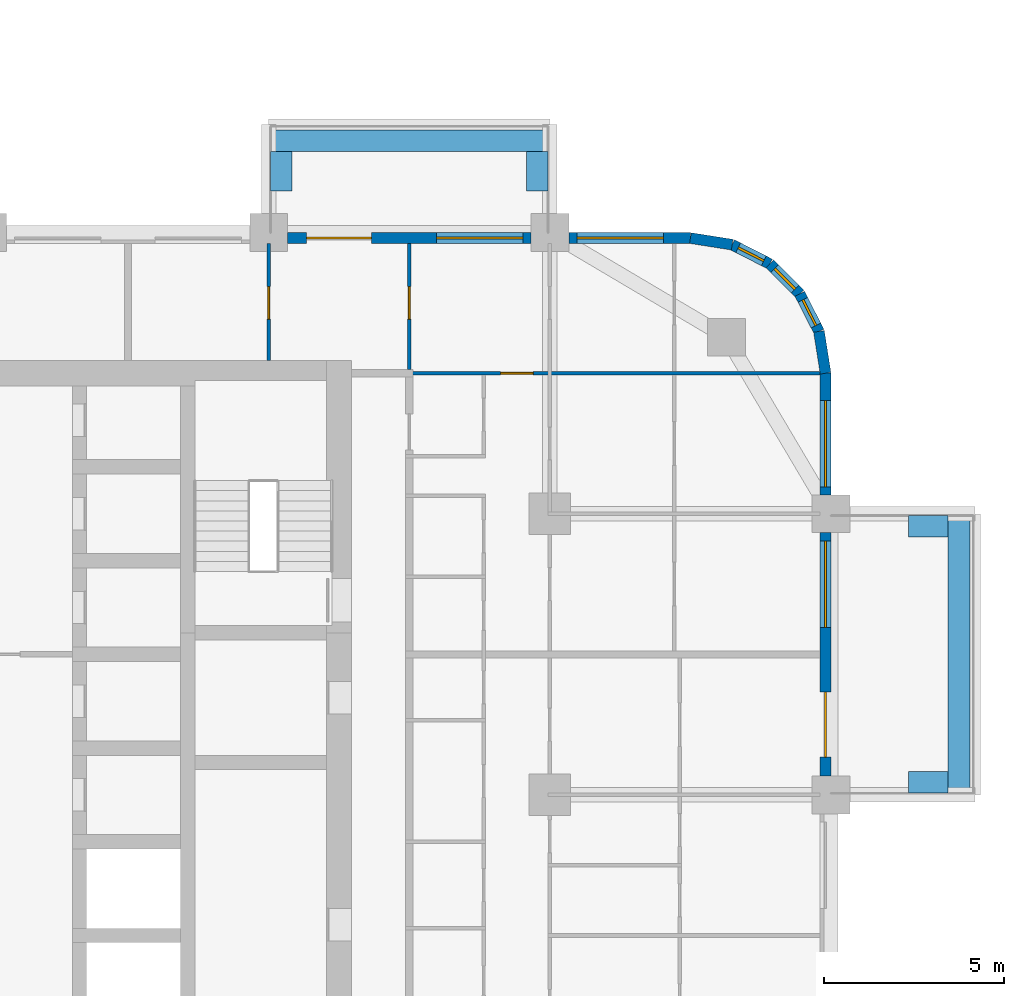
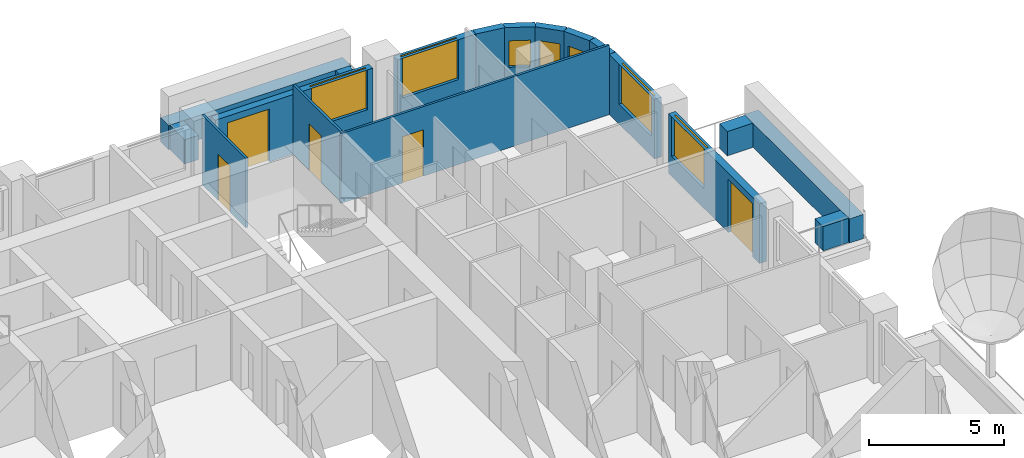
# One storey, part 13 of 18: 18 walls, 7 windows, 5 doors, 12 openings.
"""IFC4 building model written with IfcOpenShell, lengths in metres."""

from ifc_helpers import new_model, si_unit, direction, frame, frame_2d, origin, place, context, subcontext, project, spatial, rectangle, extrude, material, layer, layer_set, type_object, element, fill, save


model = new_model("IFC4")

# Units and contexts
model_context = context("Model", 3, precision=1e-05, world=origin(), true_north=direction((0.0, 1.0)))
body_context = subcontext(model_context, "Body", "Model", "MODEL_VIEW")
ifc_project = project(units=[si_unit("LENGTHUNIT", "METRE"), si_unit("AREAUNIT", "SQUARE_METRE"), si_unit("VOLUMEUNIT", "CUBIC_METRE"), si_unit("PLANEANGLEUNIT", "RADIAN"), si_unit("MASSUNIT", "GRAM", prefix="KILO")], contexts=[model_context])

# Site, building, storey
site_placement = place(None, origin())
site = spatial("IfcSite", under=ifc_project, at=site_placement, CompositionType="ELEMENT")
building_placement = place(site_placement, origin())
building = spatial("IfcBuilding", under=site, at=building_placement, Name="Ludao Terraces", CompositionType="ELEMENT")
storey_placement = place(building_placement, frame((0.0, 0.0, 26.300048828125)))
storey = spatial("IfcBuildingStorey", under=building, at=storey_placement, Name="L06", CompositionType="ELEMENT", Elevation=26.300048828125)

# Walls
ifc_material_1 = material(Name="Concrete C40", Category="concrete")
ifc_layer_1 = layer(ifc_material_1, 0.60009765625)
ifc_layer_set_1 = layer_set([ifc_layer_1], Name="ENV Planter trough 600")
wall_type_1 = type_object("IfcWallType", Name="ENV Planter trough 600", PredefinedType="USERDEFINED", material=ifc_layer_set_1)
wall_1_placement = place(storey_placement, frame((111.949951171875, 72.800048828125, 0.0), z_axis=(0.0, 0.0, 1.0), x_axis=(0.0, 1.0, 0.0)))
element("IfcWall", 1, at=wall_1_placement, inside=storey, type_object=wall_type_1, Name="PL-L06-E4", ObjectType="PLANTER", PredefinedType="USERDEFINED", context=body_context, shape_type="SweptSolid", body=[
    extrude(rectangle(XDim=7.800048828125, YDim=0.60009765625, at=frame_2d((3.89990234375, 0.0))), origin(), (0.0, 0.0, 1.0), 1.099853515625),
])
for number, where, z_axis, x_axis, name in (
    (2, (111.64990234375, 73.14990234375, 0.0), (0.0, 0.0, 1.0), (-1.0, 0.0, 0.0), "PL-L06-E4-SA"),
    (3, (111.64990234375, 80.25, 0.0), (0.0, 0.0, 1.0), (-1.0, 0.0, 0.0), "PL-L06-E4-SB"),
):
    element("IfcWall", number, at=place(storey_placement, frame(where, z_axis=z_axis, x_axis=x_axis)), inside=storey, type_object=wall_type_1, Name=name, ObjectType="PLANTER", PredefinedType="USERDEFINED", context=body_context, shape_type="SweptSolid", body=[
        extrude(rectangle(XDim=1.099853515625, YDim=0.60009765625, at=frame_2d((0.5498046875, 0.0))), origin(), (0.0, 0.0, 1.0), 1.099853515625),
    ])
wall_2_placement = place(storey_placement, frame((92.800048828125, 90.949951171875, 0.0), z_axis=(0.0, 0.0, 1.0), x_axis=(1.0, 0.0, 0.0)))
element("IfcWall", 4, at=wall_2_placement, inside=storey, type_object=wall_type_1, Name="PL-L06-N4", ObjectType="PLANTER", PredefinedType="USERDEFINED", context=body_context, shape_type="SweptSolid", body=[
    extrude(rectangle(XDim=7.800048828125, YDim=0.60009765625, at=frame_2d((3.89990234375, 0.0))), origin(), (0.0, 0.0, 1.0), 1.099853515625),
])
for number, where, z_axis, x_axis, name in (
    (5, (93.14990234375, 90.64990234375, 0.0), (0.0, 0.0, 1.0), (0.0, -1.0, 0.0), "PL-L06-N4-SA"),
    (6, (100.25, 90.64990234375, 0.0), (0.0, 0.0, 1.0), (0.0, -1.0, 0.0), "PL-L06-N4-SB"),
):
    element("IfcWall", number, at=place(storey_placement, frame(where, z_axis=z_axis, x_axis=x_axis)), inside=storey, type_object=wall_type_1, Name=name, ObjectType="PLANTER", PredefinedType="USERDEFINED", context=body_context, shape_type="SweptSolid", body=[
        extrude(rectangle(XDim=1.099853515625, YDim=0.60009765625, at=frame_2d((0.5498046875, 0.0))), origin(), (0.0, 0.0, 1.0), 1.099853515625),
    ])

# Wall, openings, door, window
ifc_material_2 = material(Name="Granite cladding", Category="masonry")
ifc_layer_2 = layer(ifc_material_2, 0.0400390625, Category="stone")
ifc_material_3 = material(Name="Mineral wool")
ifc_layer_3 = layer(ifc_material_3, 0.06005859375)
ifc_layer_4 = layer(ifc_material_1, 0.199951171875, Category="concrete")
ifc_layer_set_2 = layer_set([ifc_layer_2, ifc_layer_3, ifc_layer_4], Name="ENV Stone-clad wall 300")
wall_type_2 = type_object("IfcWallType", Name="ENV Stone-clad wall 300", PredefinedType="SOLIDWALL", material=ifc_layer_set_2)
wall_3_placement = place(storey_placement, frame((108.25, 73.324951171875, 0.0), z_axis=(0.0, 0.0, 1.0), x_axis=(0.0, 1.0, 0.0)))
wall_3 = element("IfcWall", 7, at=wall_3_placement, inside=storey, type_object=wall_type_2, Name="EW-L06-E5", PredefinedType="SOLIDWALL", context=body_context, shape_type="SweptSolid", body=[
    extrude(rectangle(XDim=6.75, YDim=0.300048828125, at=frame_2d((3.375, 0.0))), origin(), (0.0, 0.0, 1.0), 2.699951171875),
])
opening_1_placement = place(wall_3_placement, frame((0.52490234375, 0.0, 0.0)))
opening_1 = element("IfcOpeningElement", 8, at=opening_1_placement, cuts=wall_3, Name="Opening BD", PredefinedType="OPENING", context=body_context, shape_type="SweptSolid", body=[
    extrude(rectangle(XDim=1.800048828125, YDim=2.39990234375, at=frame_2d((0.89990234375, 1.199951171875))), frame((0.0, 0.16015625, 0.0), z_axis=(0.0, -1.0, 0.0), x_axis=(1.0, 0.0, 0.0)), (0.0, 0.0, 1.0), 0.320068359375),
])
opening_2_placement = place(wall_3_placement, frame((4.125, 0.0, 0.89990234375)))
opening_2 = element("IfcOpeningElement", 9, at=opening_2_placement, cuts=wall_3, Name="Opening W1", PredefinedType="OPENING", context=body_context, shape_type="SweptSolid", body=[
    extrude(rectangle(XDim=2.39990234375, YDim=1.800048828125, at=frame_2d((1.199951171875, 0.89990234375))), frame((0.0, 0.16015625, 0.0), z_axis=(0.0, -1.0, 0.0), x_axis=(1.0, 0.0, 0.0)), (0.0, 0.0, 1.0), 0.320068359375),
])
ifc_material_4 = material(Name="Aluminium glazed door", Category="aluminium")
ifc_layer_5 = layer(ifc_material_4, 0.06005859375)
ifc_layer_set_3 = layer_set([ifc_layer_5], Name="ENV Balcony door BD 1800x2400")
door_type_1 = type_object("IfcDoorType", Name="ENV Balcony door BD 1800x2400", OperationType="DOUBLE_DOOR_SINGLE_SWING", PredefinedType="DOOR", material=ifc_layer_set_3)
door_1_placement = place(opening_1_placement, origin())
door_1 = element("IfcDoor", 10, at=door_1_placement, inside=storey, type_object=door_type_1, Name="BD-L06-E5-1", OperationType="DOUBLE_DOOR_SINGLE_SWING", OverallHeight=2.39990234375, OverallWidth=1.800048828125, PredefinedType="DOOR", context=body_context, shape_type="SweptSolid", body=[
    extrude(rectangle(XDim=1.800048828125, YDim=2.39990234375, at=frame_2d((0.89990234375, 1.199951171875))), frame((0.0, 0.02490234375, 0.0), z_axis=(0.0, -1.0, 0.0), x_axis=(1.0, 0.0, 0.0)), (0.0, 0.0, 1.0), 0.050048828125),
])
fill(opening_1, door_1)
ifc_material_5 = material(Name="Clear glass in aluminium frame", Category="aluminium")
ifc_layer_6 = layer(ifc_material_5, 0.06005859375)
ifc_layer_set_4 = layer_set([ifc_layer_6], Name="ENV Window W1 2400x1800")
window_type_1 = type_object("IfcWindowType", Name="ENV Window W1 2400x1800", PartitioningType="DOUBLE_PANEL_VERTICAL", PredefinedType="WINDOW", material=ifc_layer_set_4)
window_1_placement = place(opening_2_placement, origin())
window_1 = element("IfcWindow", 11, at=window_1_placement, inside=storey, type_object=window_type_1, Name="W-L06-E5-2", OverallHeight=1.800048828125, OverallWidth=2.39990234375, PartitioningType="DOUBLE_PANEL_VERTICAL", PredefinedType="WINDOW", context=body_context, shape_type="SweptSolid", body=[
    extrude(rectangle(XDim=2.39990234375, YDim=1.800048828125, at=frame_2d((1.199951171875, 0.89990234375))), frame((0.0, 0.030029296875, 0.0), z_axis=(0.0, -1.0, 0.0), x_axis=(1.0, 0.0, 0.0)), (0.0, 0.0, 1.0), 0.06005859375),
])
fill(opening_2, window_1)

# Wall, opening, window
wall_4_placement = place(storey_placement, frame((108.25, 81.125, 0.0), z_axis=(0.0, 0.0, 1.0), x_axis=(0.0, 1.0, 0.0)))
wall_4 = element("IfcWall", 12, at=wall_4_placement, inside=storey, type_object=wall_type_2, Name="EW-L06-E6", PredefinedType="SOLIDWALL", context=body_context, shape_type="SweptSolid", body=[
    extrude(rectangle(XDim=3.375, YDim=0.300048828125, at=frame_2d((1.6875, 0.0))), origin(), (0.0, 0.0, 1.0), 2.699951171875),
])
opening_3_placement = place(wall_4_placement, frame((0.22509765625, 0.0, 0.89990234375)))
opening_3 = element("IfcOpeningElement", 13, at=opening_3_placement, cuts=wall_4, Name="Opening W1", PredefinedType="OPENING", context=body_context, shape_type="SweptSolid", body=[
    extrude(rectangle(XDim=2.39990234375, YDim=1.800048828125, at=frame_2d((1.199951171875, 0.89990234375))), frame((0.0, 0.16015625, 0.0), z_axis=(0.0, -1.0, 0.0), x_axis=(1.0, 0.0, 0.0)), (0.0, 0.0, 1.0), 0.320068359375),
])
window_2_placement = place(opening_3_placement, origin())
window_2 = element("IfcWindow", 14, at=window_2_placement, inside=storey, type_object=window_type_1, Name="W-L06-E6-1", OverallHeight=1.800048828125, OverallWidth=2.39990234375, PartitioningType="DOUBLE_PANEL_VERTICAL", PredefinedType="WINDOW", context=body_context, shape_type="SweptSolid", body=[
    extrude(rectangle(XDim=2.39990234375, YDim=1.800048828125, at=frame_2d((1.199951171875, 0.89990234375))), frame((0.0, 0.030029296875, 0.0), z_axis=(0.0, -1.0, 0.0), x_axis=(1.0, 0.0, 0.0)), (0.0, 0.0, 1.0), 0.06005859375),
])
fill(opening_3, window_2)

# Wall, openings, door, window
wall_5_placement = place(storey_placement, frame((93.324951171875, 88.25, 0.0), z_axis=(0.0, 0.0, 1.0), x_axis=(1.0, 0.0, 0.0)))
wall_5 = element("IfcWall", 15, at=wall_5_placement, inside=storey, type_object=wall_type_2, Name="EW-L06-N5", PredefinedType="SOLIDWALL", context=body_context, shape_type="SweptSolid", body=[
    extrude(rectangle(XDim=6.75, YDim=0.300048828125, at=frame_2d((3.375, 0.0))), origin(), (0.0, 0.0, 1.0), 2.699951171875),
])
opening_4_placement = place(wall_5_placement, frame((0.52490234375, 0.0, 0.0)))
opening_4 = element("IfcOpeningElement", 16, at=opening_4_placement, cuts=wall_5, Name="Opening BD", PredefinedType="OPENING", context=body_context, shape_type="SweptSolid", body=[
    extrude(rectangle(XDim=1.800048828125, YDim=2.39990234375, at=frame_2d((0.89990234375, 1.199951171875))), frame((0.0, 0.16015625, 0.0), z_axis=(0.0, -1.0, 0.0), x_axis=(1.0, 0.0, 0.0)), (0.0, 0.0, 1.0), 0.320068359375),
])
opening_5_placement = place(wall_5_placement, frame((4.125, 0.0, 0.89990234375)))
opening_5 = element("IfcOpeningElement", 17, at=opening_5_placement, cuts=wall_5, Name="Opening W1", PredefinedType="OPENING", context=body_context, shape_type="SweptSolid", body=[
    extrude(rectangle(XDim=2.39990234375, YDim=1.800048828125, at=frame_2d((1.199951171875, 0.89990234375))), frame((0.0, 0.16015625, 0.0), z_axis=(0.0, -1.0, 0.0), x_axis=(1.0, 0.0, 0.0)), (0.0, 0.0, 1.0), 0.320068359375),
])
door_2_placement = place(opening_4_placement, origin())
door_2 = element("IfcDoor", 18, at=door_2_placement, inside=storey, type_object=door_type_1, Name="BD-L06-N5-1", OperationType="DOUBLE_DOOR_SINGLE_SWING", OverallHeight=2.39990234375, OverallWidth=1.800048828125, PredefinedType="DOOR", context=body_context, shape_type="SweptSolid", body=[
    extrude(rectangle(XDim=1.800048828125, YDim=2.39990234375, at=frame_2d((0.89990234375, 1.199951171875))), frame((0.0, 0.02490234375, 0.0), z_axis=(0.0, -1.0, 0.0), x_axis=(1.0, 0.0, 0.0)), (0.0, 0.0, 1.0), 0.050048828125),
])
fill(opening_4, door_2)
window_3_placement = place(opening_5_placement, origin())
window_3 = element("IfcWindow", 19, at=window_3_placement, inside=storey, type_object=window_type_1, Name="W-L06-N5-2", OverallHeight=1.800048828125, OverallWidth=2.39990234375, PartitioningType="DOUBLE_PANEL_VERTICAL", PredefinedType="WINDOW", context=body_context, shape_type="SweptSolid", body=[
    extrude(rectangle(XDim=2.39990234375, YDim=1.800048828125, at=frame_2d((1.199951171875, 0.89990234375))), frame((0.0, 0.030029296875, 0.0), z_axis=(0.0, -1.0, 0.0), x_axis=(1.0, 0.0, 0.0)), (0.0, 0.0, 1.0), 0.06005859375),
])
fill(opening_5, window_3)

# Wall, opening, window
wall_6_placement = place(storey_placement, frame((101.125, 88.25, 0.0), z_axis=(0.0, 0.0, 1.0), x_axis=(1.0, 0.0, 0.0)))
wall_6 = element("IfcWall", 20, at=wall_6_placement, inside=storey, type_object=wall_type_2, Name="EW-L06-N6", PredefinedType="SOLIDWALL", context=body_context, shape_type="SweptSolid", body=[
    extrude(rectangle(XDim=3.375, YDim=0.300048828125, at=frame_2d((1.6875, 0.0))), origin(), (0.0, 0.0, 1.0), 2.699951171875),
])
opening_6_placement = place(wall_6_placement, frame((0.22509765625, 0.0, 0.89990234375)))
opening_6 = element("IfcOpeningElement", 21, at=opening_6_placement, cuts=wall_6, Name="Opening W1", PredefinedType="OPENING", context=body_context, shape_type="SweptSolid", body=[
    extrude(rectangle(XDim=2.39990234375, YDim=1.800048828125, at=frame_2d((1.199951171875, 0.89990234375))), frame((0.0, 0.16015625, 0.0), z_axis=(0.0, -1.0, 0.0), x_axis=(1.0, 0.0, 0.0)), (0.0, 0.0, 1.0), 0.320068359375),
])
window_4_placement = place(opening_6_placement, origin())
window_4 = element("IfcWindow", 22, at=window_4_placement, inside=storey, type_object=window_type_1, Name="W-L06-N6-1", OverallHeight=1.800048828125, OverallWidth=2.39990234375, PartitioningType="DOUBLE_PANEL_VERTICAL", PredefinedType="WINDOW", context=body_context, shape_type="SweptSolid", body=[
    extrude(rectangle(XDim=2.39990234375, YDim=1.800048828125, at=frame_2d((1.199951171875, 0.89990234375))), frame((0.0, 0.030029296875, 0.0), z_axis=(0.0, -1.0, 0.0), x_axis=(1.0, 0.0, 0.0)), (0.0, 0.0, 1.0), 0.06005859375),
])
fill(opening_6, window_4)

# Wall
wall_7_placement = place(storey_placement, frame((108.25, 84.5, 0.0), z_axis=(0.0, 0.0, 1.0), x_axis=(-0.156496880861, 0.987678452879, 0.0)))
element("IfcWall", 23, at=wall_7_placement, inside=storey, type_object=wall_type_2, Name="EW-L06-NE1", PredefinedType="SOLIDWALL", context=body_context, shape_type="SweptSolid", body=[
    extrude(rectangle(XDim=1.173095703125, YDim=0.300048828125, at=frame_2d((0.58642578125, 0.0))), origin(), (0.0, 0.0, 1.0), 2.699951171875),
])

# Wall, opening, window
wall_8_placement = place(storey_placement, frame((108.06640625, 85.65869140625, 0.0), z_axis=(0.0, 0.0, 1.0), x_axis=(-0.454025524128, 0.890988677504, 0.0)))
wall_8 = element("IfcWall", 24, at=wall_8_placement, inside=storey, type_object=wall_type_2, Name="EW-L06-NE2", PredefinedType="SOLIDWALL", context=body_context, shape_type="SweptSolid", body=[
    extrude(rectangle(XDim=1.17333984375, YDim=0.300048828125, at=frame_2d((0.586669921875, 0.0))), origin(), (0.0, 0.0, 1.0), 2.699951171875),
])
opening_7_placement = place(wall_8_placement, frame((0.1865234375, 0.0, 0.89990234375)))
opening_7 = element("IfcOpeningElement", 25, at=opening_7_placement, cuts=wall_8, Name="Opening W3", PredefinedType="OPENING", context=body_context, shape_type="SweptSolid", body=[
    extrude(rectangle(XDim=0.800048828125, YDim=1.199951171875, at=frame_2d((0.39990234375, 0.60009765625))), frame((0.0, 0.16015625, 0.0), z_axis=(0.0, -1.0, 0.0), x_axis=(1.0, 0.0, 0.0)), (0.0, 0.0, 1.0), 0.320068359375),
])
ifc_layer_7 = layer(ifc_material_5, 0.06005859375)
ifc_layer_set_5 = layer_set([ifc_layer_7], Name="ENV Window W3 800x1200")
window_type_2 = type_object("IfcWindowType", Name="ENV Window W3 800x1200", PartitioningType="SINGLE_PANEL", PredefinedType="WINDOW", material=ifc_layer_set_5)
window_5_placement = place(opening_7_placement, origin())
window_5 = element("IfcWindow", 26, at=window_5_placement, inside=storey, type_object=window_type_2, Name="W-L06-NE2", OverallHeight=1.199951171875, OverallWidth=0.800048828125, PartitioningType="SINGLE_PANEL", PredefinedType="WINDOW", context=body_context, shape_type="SweptSolid", body=[
    extrude(rectangle(XDim=0.800048828125, YDim=1.199951171875, at=frame_2d((0.39990234375, 0.60009765625))), frame((0.0, 0.030029296875, 0.0), z_axis=(0.0, -1.0, 0.0), x_axis=(1.0, 0.0, 0.0)), (0.0, 0.0, 1.0), 0.06005859375),
])
fill(opening_7, window_5)

wall_9_placement = place(storey_placement, frame((107.53369140625, 86.7041015625, 0.0), z_axis=(0.0, 0.0, 1.0), x_axis=(-0.707106781187, 0.707106781187, 0.0)))
wall_9 = element("IfcWall", 27, at=wall_9_placement, inside=storey, type_object=wall_type_2, Name="EW-L06-NE3", PredefinedType="SOLIDWALL", context=body_context, shape_type="SweptSolid", body=[
    extrude(rectangle(XDim=1.173095703125, YDim=0.300048828125, at=frame_2d((0.58642578125, 0.0))), origin(), (0.0, 0.0, 1.0), 2.699951171875),
])
opening_8_placement = place(wall_9_placement, frame((0.1865234375, 0.0, 0.89990234375)))
opening_8 = element("IfcOpeningElement", 28, at=opening_8_placement, cuts=wall_9, Name="Opening W3", PredefinedType="OPENING", context=body_context, shape_type="SweptSolid", body=[
    extrude(rectangle(XDim=0.800048828125, YDim=1.199951171875, at=frame_2d((0.39990234375, 0.60009765625))), frame((0.0, 0.16015625, 0.0), z_axis=(0.0, -1.0, 0.0), x_axis=(1.0, 0.0, 0.0)), (0.0, 0.0, 1.0), 0.320068359375),
])
window_6_placement = place(opening_8_placement, origin())
window_6 = element("IfcWindow", 29, at=window_6_placement, inside=storey, type_object=window_type_2, Name="W-L06-NE3", OverallHeight=1.199951171875, OverallWidth=0.800048828125, PartitioningType="SINGLE_PANEL", PredefinedType="WINDOW", context=body_context, shape_type="SweptSolid", body=[
    extrude(rectangle(XDim=0.800048828125, YDim=1.199951171875, at=frame_2d((0.39990234375, 0.60009765625))), frame((0.0, 0.030029296875, 0.0), z_axis=(0.0, -1.0, 0.0), x_axis=(1.0, 0.0, 0.0)), (0.0, 0.0, 1.0), 0.06005859375),
])
fill(opening_8, window_6)

wall_10_placement = place(storey_placement, frame((106.7041015625, 87.53369140625, 0.0), z_axis=(0.0, 0.0, 1.0), x_axis=(-0.890988677504, 0.454025524128, 0.0)))
wall_10 = element("IfcWall", 30, at=wall_10_placement, inside=storey, type_object=wall_type_2, Name="EW-L06-NE4", PredefinedType="SOLIDWALL", context=body_context, shape_type="SweptSolid", body=[
    extrude(rectangle(XDim=1.17333984375, YDim=0.300048828125, at=frame_2d((0.586669921875, 0.0))), origin(), (0.0, 0.0, 1.0), 2.699951171875),
])
opening_9_placement = place(wall_10_placement, frame((0.1865234375, 0.0, 0.89990234375)))
opening_9 = element("IfcOpeningElement", 31, at=opening_9_placement, cuts=wall_10, Name="Opening W3", PredefinedType="OPENING", context=body_context, shape_type="SweptSolid", body=[
    extrude(rectangle(XDim=0.800048828125, YDim=1.199951171875, at=frame_2d((0.39990234375, 0.60009765625))), frame((0.0, 0.16015625, 0.0), z_axis=(0.0, -1.0, 0.0), x_axis=(1.0, 0.0, 0.0)), (0.0, 0.0, 1.0), 0.320068359375),
])
window_7_placement = place(opening_9_placement, origin())
window_7 = element("IfcWindow", 32, at=window_7_placement, inside=storey, type_object=window_type_2, Name="W-L06-NE4", OverallHeight=1.199951171875, OverallWidth=0.800048828125, PartitioningType="SINGLE_PANEL", PredefinedType="WINDOW", context=body_context, shape_type="SweptSolid", body=[
    extrude(rectangle(XDim=0.800048828125, YDim=1.199951171875, at=frame_2d((0.39990234375, 0.60009765625))), frame((0.0, 0.030029296875, 0.0), z_axis=(0.0, -1.0, 0.0), x_axis=(1.0, 0.0, 0.0)), (0.0, 0.0, 1.0), 0.06005859375),
])
fill(opening_9, window_7)

# Wall
wall_11_placement = place(storey_placement, frame((105.65869140625, 88.06640625, 0.0), z_axis=(0.0, 0.0, 1.0), x_axis=(-0.987678452879, 0.156496880861, 0.0)))
element("IfcWall", 33, at=wall_11_placement, inside=storey, type_object=wall_type_2, Name="EW-L06-NE5", PredefinedType="SOLIDWALL", context=body_context, shape_type="SweptSolid", body=[
    extrude(rectangle(XDim=1.173095703125, YDim=0.300048828125, at=frame_2d((0.58642578125, 0.0))), origin(), (0.0, 0.0, 1.0), 2.699951171875),
])

# Wall, opening, door
ifc_material_6 = material(Name="Gypsum plasterboard", Category="gypsum")
ifc_layer_8 = layer(ifc_material_6, 0.012451171875, Category="gypsum")
ifc_layer_9 = layer(ifc_material_3, 0.06005859375, Name="insulation")
ifc_material_7 = material(Name="Steel Q235", Category="steel")
ifc_layer_10 = layer(ifc_material_7, 0.014892578125, Name="stud")
ifc_layer_11 = layer(ifc_material_6, 0.012451171875, Category="gypsum")
ifc_layer_set_6 = layer_set([ifc_layer_8, ifc_layer_9, ifc_layer_10, ifc_layer_11], Name="INT Partition 100")
wall_type_3 = type_object("IfcWallType", Name="INT Partition 100", PredefinedType="PARTITIONING", material=ifc_layer_set_6)
wall_12_placement = place(storey_placement, frame((96.60009765625, 84.5, 0.0), z_axis=(0.0, 0.0, 1.0), x_axis=(1.0, 0.0, 0.0)))
wall_12 = element("IfcWall", 34, at=wall_12_placement, inside=storey, type_object=wall_type_3, Name="PW-L06-PW072", PredefinedType="PARTITIONING", context=body_context, shape_type="SweptSolid", body=[
    extrude(rectangle(XDim=11.5, YDim=0.10009765625, at=frame_2d((5.75, 0.0))), origin(), (0.0, 0.0, 1.0), 3.14990234375),
])
opening_10_placement = place(wall_12_placement, frame((2.635009765625, 0.0, 0.0)))
opening_10 = element("IfcOpeningElement", 35, at=opening_10_placement, cuts=wall_12, Name="Opening R01-148", PredefinedType="OPENING", context=body_context, shape_type="SweptSolid", body=[
    extrude(rectangle(XDim=0.89990234375, YDim=2.10009765625, at=frame_2d((0.449951171875, 1.050048828125))), frame((0.0, 0.06005859375, 0.0), z_axis=(0.0, -1.0, 0.0), x_axis=(1.0, 0.0, 0.0)), (0.0, 0.0, 1.0), 0.1201171875),
])
ifc_material_8 = material(Name="Timber door leaf", Category="wood")
door_type_2 = type_object("IfcDoorType", Name="INT Room door 900", OperationType="SINGLE_SWING_LEFT", PredefinedType="DOOR", material=ifc_material_8)
door_3_placement = place(opening_10_placement, origin())
door_3 = element("IfcDoor", 36, at=door_3_placement, inside=storey, type_object=door_type_2, Name="DOOR 148", OperationType="SINGLE_SWING_LEFT", OverallHeight=2.10009765625, OverallWidth=0.89990234375, PredefinedType="DOOR", context=body_context, shape_type="SweptSolid", body=[
    extrude(rectangle(XDim=0.89990234375, YDim=2.10009765625, at=frame_2d((0.449951171875, 1.050048828125))), frame((0.0, 0.02490234375, 0.0), z_axis=(0.0, -1.0, 0.0), x_axis=(1.0, 0.0, 0.0)), (0.0, 0.0, 1.0), 0.050048828125),
])
fill(opening_10, door_3)

wall_13_placement = place(storey_placement, frame((92.800048828125, 84.85009765625, 0.0), z_axis=(0.0, 0.0, 1.0), x_axis=(0.0, 1.0, 0.0)))
wall_13 = element("IfcWall", 37, at=wall_13_placement, inside=storey, type_object=wall_type_3, Name="PW-L06-PW106", PredefinedType="PARTITIONING", context=body_context, shape_type="SweptSolid", body=[
    extrude(rectangle(XDim=3.25, YDim=0.10009765625, at=frame_2d((1.625, 0.0))), origin(), (0.0, 0.0, 1.0), 3.14990234375),
])
opening_11_placement = place(wall_13_placement, frame((1.14990234375, 0.0, 0.0)))
opening_11 = element("IfcOpeningElement", 38, at=opening_11_placement, cuts=wall_13, Name="Opening R01-155", PredefinedType="OPENING", context=body_context, shape_type="SweptSolid", body=[
    extrude(rectangle(XDim=0.89990234375, YDim=2.10009765625, at=frame_2d((0.449951171875, 1.050048828125))), frame((0.0, 0.06005859375, 0.0), z_axis=(0.0, -1.0, 0.0), x_axis=(1.0, 0.0, 0.0)), (0.0, 0.0, 1.0), 0.1201171875),
])
door_4_placement = place(opening_11_placement, origin())
door_4 = element("IfcDoor", 39, at=door_4_placement, inside=storey, type_object=door_type_2, Name="DOOR 155", OperationType="SINGLE_SWING_LEFT", OverallHeight=2.10009765625, OverallWidth=0.89990234375, PredefinedType="DOOR", context=body_context, shape_type="SweptSolid", body=[
    extrude(rectangle(XDim=0.89990234375, YDim=2.10009765625, at=frame_2d((0.449951171875, 1.050048828125))), frame((0.0, 0.02490234375, 0.0), z_axis=(0.0, -1.0, 0.0), x_axis=(1.0, 0.0, 0.0)), (0.0, 0.0, 1.0), 0.050048828125),
])
fill(opening_11, door_4)

wall_14_placement = place(storey_placement, frame((96.699951171875, 84.60009765625, 0.0), z_axis=(0.0, 0.0, 1.0), x_axis=(0.0, 1.0, 0.0)))
wall_14 = element("IfcWall", 40, at=wall_14_placement, inside=storey, type_object=wall_type_3, Name="PW-L06-PW111", PredefinedType="PARTITIONING", context=body_context, shape_type="SweptSolid", body=[
    extrude(rectangle(XDim=3.5, YDim=0.10009765625, at=frame_2d((1.75, 0.0))), origin(), (0.0, 0.0, 1.0), 3.14990234375),
])
opening_12_placement = place(wall_14_placement, frame((1.39990234375, 0.0, 0.0)))
opening_12 = element("IfcOpeningElement", 41, at=opening_12_placement, cuts=wall_14, Name="Opening R01-156", PredefinedType="OPENING", context=body_context, shape_type="SweptSolid", body=[
    extrude(rectangle(XDim=0.89990234375, YDim=2.10009765625, at=frame_2d((0.449951171875, 1.050048828125))), frame((0.0, 0.06005859375, 0.0), z_axis=(0.0, -1.0, 0.0), x_axis=(1.0, 0.0, 0.0)), (0.0, 0.0, 1.0), 0.1201171875),
])
door_5_placement = place(opening_12_placement, origin())
door_5 = element("IfcDoor", 42, at=door_5_placement, inside=storey, type_object=door_type_2, Name="DOOR 156", OperationType="SINGLE_SWING_RIGHT", OverallHeight=2.10009765625, OverallWidth=0.89990234375, PredefinedType="DOOR", context=body_context, shape_type="SweptSolid", body=[
    extrude(rectangle(XDim=0.89990234375, YDim=2.10009765625, at=frame_2d((0.449951171875, 1.050048828125))), frame((0.0, 0.02490234375, 0.0), z_axis=(0.0, -1.0, 0.0), x_axis=(1.0, 0.0, 0.0)), (0.0, 0.0, 1.0), 0.050048828125),
])
fill(opening_12, door_5)

save(model, "model.ifc")
